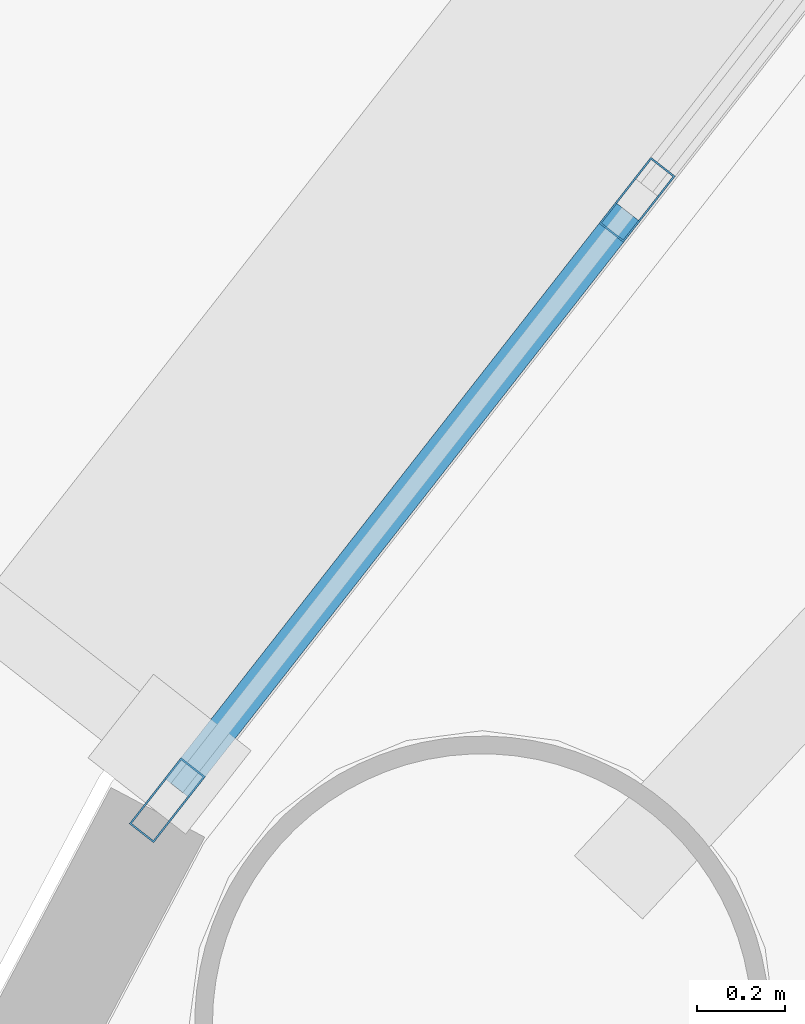
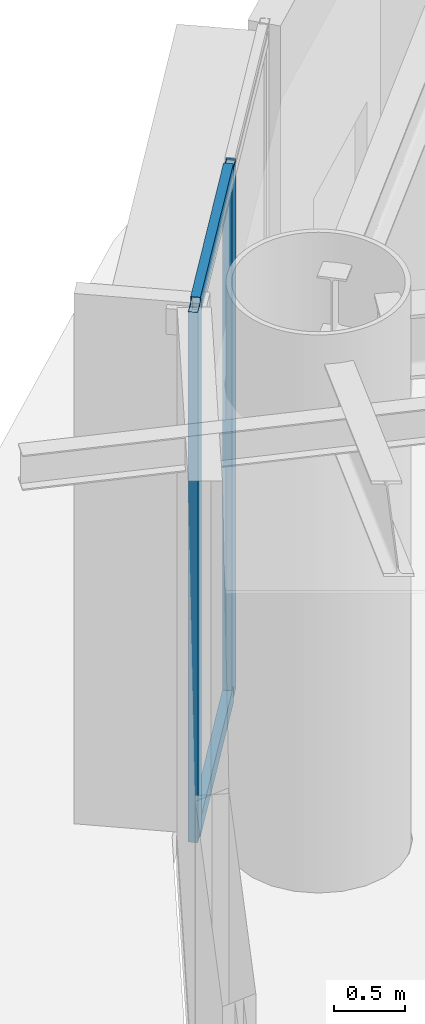
# One storey, part 10 of 38: 4 members, 1 element without a shape of its own.
"""IFC4 building model written with IfcOpenShell, lengths in metres."""

from ifc_helpers import new_model, si_unit, direction, frame, origin, origin_2d, place, context, subcontext, project, spatial, hollow_rectangle, extrude, source, transform, mapped, material, layer, layer_set, material_profile, profile_set, type_object, element, aggregate, save


model = new_model("IFC4")

# Units and contexts
model_context = context("Model", 3, precision=1e-05, world=origin(), true_north=direction((0.0, 1.0)))
body_context = subcontext(model_context, "Body", "Model", "MODEL_VIEW")
ifc_project = project(units=[si_unit("LENGTHUNIT", "METRE"), si_unit("AREAUNIT", "SQUARE_METRE"), si_unit("VOLUMEUNIT", "CUBIC_METRE"), si_unit("PLANEANGLEUNIT", "RADIAN"), si_unit("MASSUNIT", "GRAM", prefix="KILO")], contexts=[model_context])

# Site, building, storey
site_placement = place(None, origin())
site = spatial("IfcSite", under=ifc_project, at=site_placement, CompositionType="ELEMENT")
building_placement = place(site_placement, origin())
building = spatial("IfcBuilding", under=site, at=building_placement, Name="Linh Dai School and Residence Tower", CompositionType="ELEMENT")
storey_placement = place(building_placement, frame((0.0, 0.0, 151.35009765625)))
storey = spatial("IfcBuildingStorey", under=building, at=storey_placement, Name="L36", CompositionType="ELEMENT", Elevation=151.35009765625)

# Curtain wall, members
ifc_material_1 = material(Name="Aluminium Anodised Curtain Wall", Category="aluminium")
ifc_layer = layer(ifc_material_1, 0.18994140625)
ifc_layer_set = layer_set([ifc_layer], Name="Aluminium Anodised Curtain Wall")
curtain_wall_type = type_object("IfcCurtainWallType", Name="CW-SYS-5", PredefinedType="USERDEFINED", material=ifc_layer_set)
curtain_wall_placement = place(storey_placement, origin())
curtain_wall = element("IfcCurtainWall", 1, at=curtain_wall_placement, inside=storey, type_object=curtain_wall_type, Name="L36 CW5 Curtain Wall 17", ObjectType="UNITISED CURTAIN WALL", PredefinedType="USERDEFINED")
ifc_material_2 = material(Name="Aluminium Alloy 6063-T6", Category="aluminium")
ifc_material_profile_1 = material_profile(ifc_material_2, hollow_rectangle(XDim=0.070068359375, YDim=0.18994140625, WallThickness=0.00390625, at=origin_2d()), Name="RHS 190x70x4")
ifc_profile_set_1 = profile_set([ifc_material_profile_1], Name="Aluminium Alloy 6063-T6")
member_type_1 = type_object("IfcMemberType", Name="CW-SYS-5-MUL", PredefinedType="MULLION", material=ifc_profile_set_1)
shared_shape_1 = source(origin(), body_context, "Body", "SweptSolid", [
    extrude(hollow_rectangle(XDim=0.070068359375, YDim=0.18994140625, WallThickness=0.00390625, at=origin_2d()), origin(), (0.0, 0.0, 1.0), 4.5498046875),
])
member_1_placement = place(storey_placement, frame((12.425537109375, 36.416015625, 0.0), z_axis=(0.0, 0.0, 1.0), x_axis=(-0.787522158319, 0.616286337798, 0.0)))
member_1 = element("IfcMember", 2, at=member_1_placement, type_object=member_type_1, Name="CW5 mullion 1", PredefinedType="MULLION", context=body_context, shape_type="MappedRepresentation", body=[
    mapped(shared_shape_1, transform((0.0, 0.0, 0.0), x_axis=(1.0, 0.0, 0.0), y_axis=(0.0, 1.0, 0.0), z_axis=(0.0, 0.0, 1.0), scale=1.0)),
])
member_2_placement = place(storey_placement, frame((13.48779296875, 37.7734375, 0.0), z_axis=(0.0, 0.0, 1.0), x_axis=(-0.787522158319, 0.616286337798, 0.0)))
member_2 = element("IfcMember", 3, at=member_2_placement, type_object=member_type_1, Name="CW5 mullion 2", PredefinedType="MULLION", context=body_context, shape_type="MappedRepresentation", body=[
    mapped(shared_shape_1, transform((0.0, 0.0, 0.0), x_axis=(1.0, 0.0, 0.0), y_axis=(0.0, 1.0, 0.0), z_axis=(0.0, 0.0, 1.0), scale=1.0)),
])
ifc_material_profile_2 = material_profile(ifc_material_2, hollow_rectangle(XDim=0.070068359375, YDim=0.14990234375, WallThickness=0.00390625, at=origin_2d()), Name="RHS 150x70x4")
ifc_profile_set_2 = profile_set([ifc_material_profile_2], Name="Aluminium Alloy 6063-T6")
member_type_2 = type_object("IfcMemberType", Name="CW-SYS-5-TRN", PredefinedType="USERDEFINED", material=ifc_profile_set_2)
shared_shape_2 = source(origin(), body_context, "Body", "SweptSolid", [
    extrude(hollow_rectangle(XDim=0.070068359375, YDim=0.14990234375, WallThickness=0.00390625, at=origin_2d()), origin(), (0.0, 0.0, 1.0), 1.65380859375),
])
member_3_placement = place(storey_placement, frame((12.447021484375, 36.443603515625, 0.034912109375), z_axis=(0.616360009109, 0.787464500261, 0.0), x_axis=(-0.787464500261, 0.616360009109, 0.0)))
member_3 = element("IfcMember", 4, at=member_3_placement, type_object=member_type_2, Name="CW5 transom 1.1", ObjectType="TRANSOM", PredefinedType="USERDEFINED", context=body_context, shape_type="MappedRepresentation", body=[
    mapped(shared_shape_2, transform((0.0, 0.0, 0.0), x_axis=(1.0, 0.0, 0.0), y_axis=(0.0, 1.0, 0.0), z_axis=(0.0, 0.0, 1.0), scale=1.0)),
])
member_4_placement = place(storey_placement, frame((12.447021484375, 36.443603515625, 4.514892578125), z_axis=(0.616360009109, 0.787464500261, 0.0), x_axis=(-0.787464500261, 0.616360009109, 0.0)))
member_4 = element("IfcMember", 5, at=member_4_placement, type_object=member_type_2, Name="CW5 transom 1.2", ObjectType="TRANSOM", PredefinedType="USERDEFINED", context=body_context, shape_type="MappedRepresentation", body=[
    mapped(shared_shape_2, transform((0.0, 0.0, 0.0), x_axis=(1.0, 0.0, 0.0), y_axis=(0.0, 1.0, 0.0), z_axis=(0.0, 0.0, 1.0), scale=1.0)),
])
aggregate(curtain_wall, [member_1, member_2, member_3, member_4])

save(model, "model.ifc")
